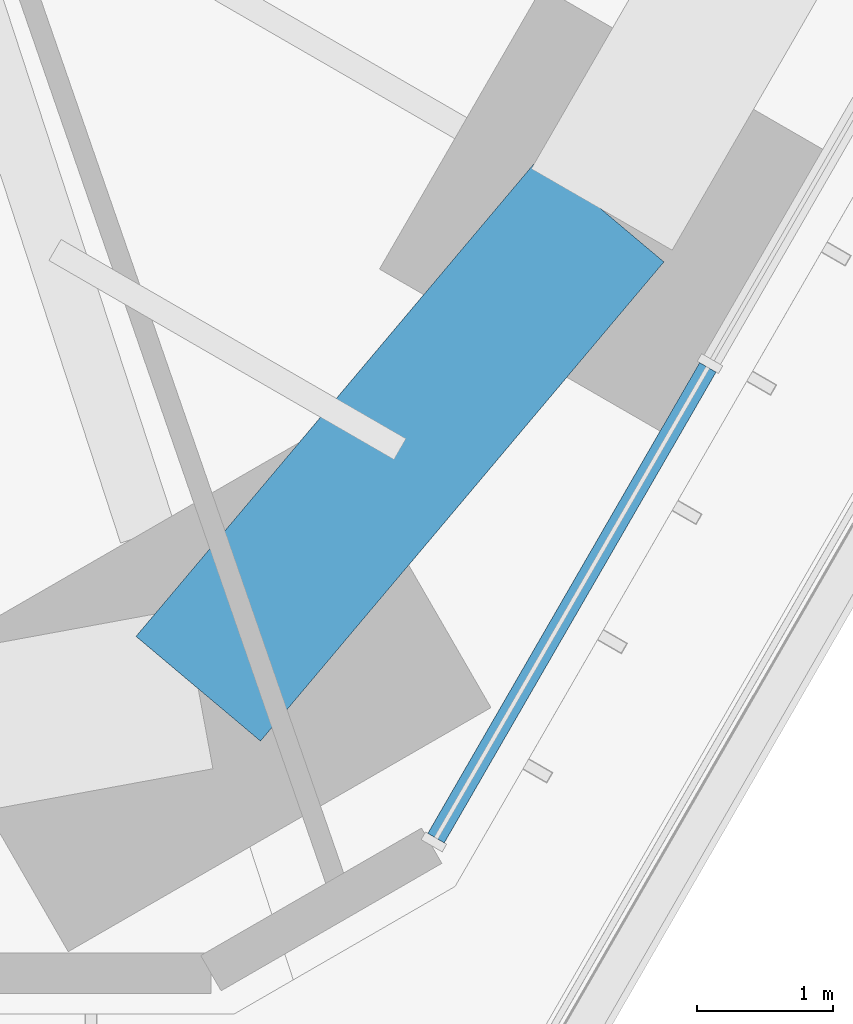
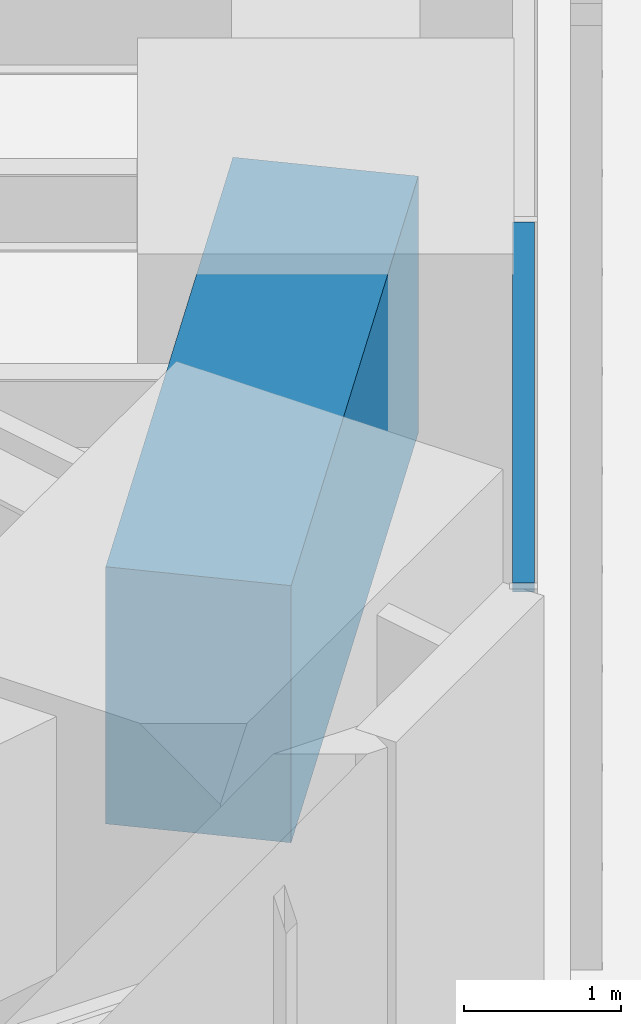
# One storey, part 69 of 238: 1 beam, 1 member, 1 element without a shape of its own.
"""IFC4 building model written with IfcOpenShell, lengths in metres."""

from ifc_helpers import new_model, si_unit, direction, frame, origin, origin_2d, place, context, subcontext, project, spatial, rectangle, extrude, material, material_profile, profile_set, type_object, element, aggregate, save


model = new_model("IFC4")

# Units and contexts
model_context = context("Model", 3, precision=1e-05, world=origin(), true_north=direction((0.0, 1.0)))
body_context = subcontext(model_context, "Body", "Model", "MODEL_VIEW")
ifc_project = project(units=[si_unit("LENGTHUNIT", "METRE"), si_unit("AREAUNIT", "SQUARE_METRE"), si_unit("VOLUMEUNIT", "CUBIC_METRE"), si_unit("PLANEANGLEUNIT", "RADIAN"), si_unit("MASSUNIT", "GRAM", prefix="KILO")], contexts=[model_context])

# Site, building, storey
site_placement = place(None, origin())
site = spatial("IfcSite", under=ifc_project, at=site_placement, CompositionType="ELEMENT")
building_placement = place(site_placement, origin())
building = spatial("IfcBuilding", under=site, at=building_placement, Name="Sandreach Pilgrim Tower", CompositionType="ELEMENT")
storey_placement = place(building_placement, frame((0.0, 0.0, 96.800048828125)))
storey = spatial("IfcBuildingStorey", under=building, at=storey_placement, Name="L23", CompositionType="ELEMENT", Elevation=96.800048828125)

# Curtain wall, member
ifc_material_1 = material(Name="Aluminium framed curtain wall", Category="aluminium")
curtain_wall_type = type_object("IfcCurtainWallType", Name="Hotel tower curtain wall", PredefinedType="NOTDEFINED", material=ifc_material_1)
curtain_wall_placement = place(storey_placement, origin())
curtain_wall = element("IfcCurtainWall", 1, at=curtain_wall_placement, inside=storey, type_object=curtain_wall_type, Name="CW-2 L23 SE", PredefinedType="NOTDEFINED")
ifc_material_2 = material(Name="Aluminium extrusion", Category="aluminium")
ifc_material_profile_1 = material_profile(ifc_material_2, rectangle(XDim=0.139892578125, YDim=0.070068359375, at=origin_2d()), Name="CW-2T 140X70")
ifc_profile_set_1 = profile_set([ifc_material_profile_1], Name="Aluminium extrusion")
member_type = type_object("IfcMemberType", Name="CW-2 transom", PredefinedType="USERDEFINED", material=ifc_profile_set_1)
member_placement = place(storey_placement, frame((12.27685546875, -23.7236328125, 3.60498046875), z_axis=(-0.500015851672, -0.866016251624, 0.0), x_axis=(0.866016251624, -0.500015851672, 0.0)))
member = element("IfcMember", 2, at=member_placement, type_object=member_type, Name="CW-2 head transom 9", ObjectType="TRANSOM", PredefinedType="USERDEFINED", context=body_context, shape_type="SweptSolid", body=[
    extrude(rectangle(XDim=0.139892578125, YDim=0.070068359375, at=origin_2d()), origin(), (0.0, 0.0, 1.0), 4.009521484375),
])
aggregate(curtain_wall, [member])

# Beam
ifc_material_3 = material(Name="Concrete 10000 psi", Category="concrete")
ifc_material_profile_2 = material_profile(ifc_material_3, rectangle(XDim=1.199951171875, YDim=2.0, at=origin_2d()), Name="RC1200X2000")
ifc_profile_set_2 = profile_set([ifc_material_profile_2], Name="Concrete 10000 psi")
beam_type = type_object("IfcBeamType", Name="Spandrel beam RC1200X2000", PredefinedType="SPANDREL", material=ifc_profile_set_2)
beam_placement = place(storey_placement, frame((11.494140625, -22.559326171875, 2.639892578125), z_axis=(-0.644078801547, -0.764959147535, 0.0), x_axis=(0.764959147535, -0.644078801547, 0.0)))
element("IfcBeam", 3, at=beam_placement, inside=storey, type_object=beam_type, Name="BM L23 SP21", PredefinedType="SPANDREL", context=body_context, shape_type="SweptSolid", body=[
    extrude(rectangle(XDim=1.199951171875, YDim=2.0, at=origin_2d()), origin(), (0.0, 0.0, 1.0), 4.62109375),
])

save(model, "model.ifc")
